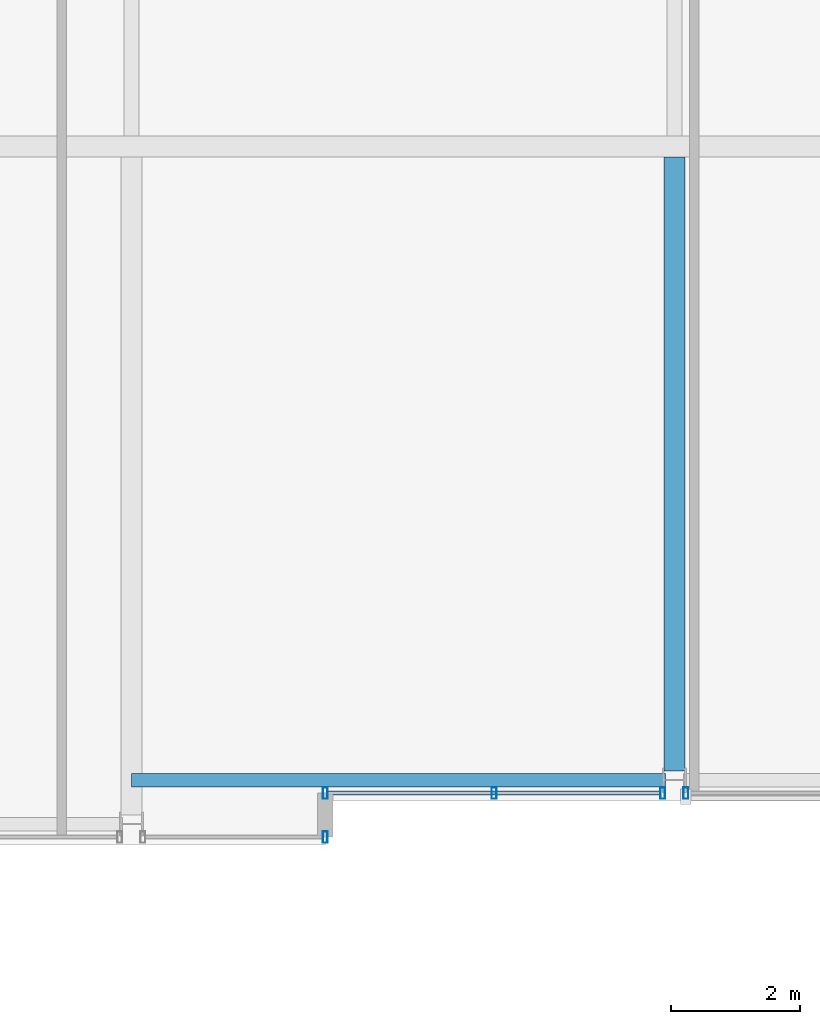
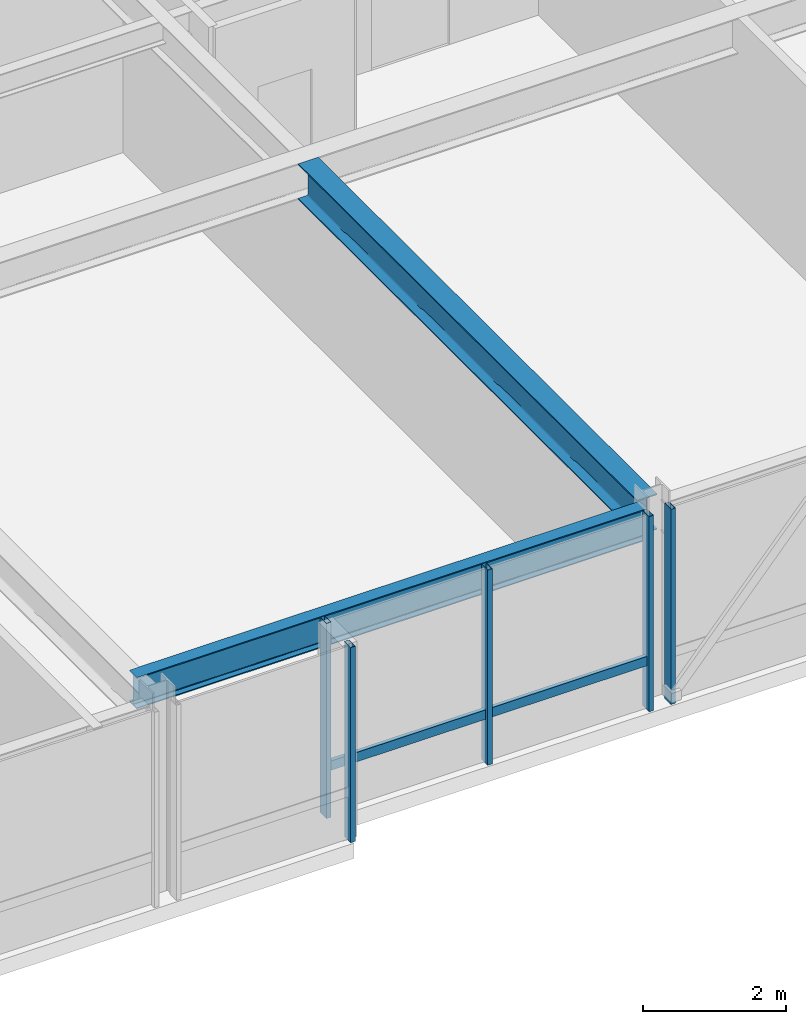
# One storey, part 7 of 32: 6 members, 2 beams, 3 elements without a shape of their own.
"""IFC4 building model written with IfcOpenShell, lengths in metres."""

from ifc_helpers import new_model, si_unit, direction, frame, origin, origin_2d, place, context, subcontext, project, spatial, hollow_rectangle, i_section, extrude, material, layer, layer_set, material_profile, profile_set, type_object, element, aggregate, save


model = new_model("IFC4")

# Units and contexts
model_context = context("Model", 3, precision=1e-05, world=origin(), true_north=direction((0.0, 1.0)))
body_context = subcontext(model_context, "Body", "Model", "MODEL_VIEW")
ifc_project = project(units=[si_unit("LENGTHUNIT", "METRE"), si_unit("AREAUNIT", "SQUARE_METRE"), si_unit("VOLUMEUNIT", "CUBIC_METRE"), si_unit("PLANEANGLEUNIT", "RADIAN"), si_unit("MASSUNIT", "GRAM", prefix="KILO")], contexts=[model_context])

# Site, building, storey
site_placement = place(None, origin())
site = spatial("IfcSite", under=ifc_project, at=site_placement, CompositionType="ELEMENT")
building_placement = place(site_placement, origin())
building = spatial("IfcBuilding", under=site, at=building_placement, Name="Drelvath Grand Hotel", CompositionType="ELEMENT")
storey_placement = place(building_placement, frame((0.0, 0.0, 241.10009765625)))
storey = spatial("IfcBuildingStorey", under=building, at=storey_placement, Name="L63", CompositionType="ELEMENT", Elevation=241.10009765625)

# Curtain wall, members
ifc_material_1 = material(Name="Platinum-Mist Anodised Aluminium Frame", Category="aluminium")
ifc_layer = layer(ifc_material_1, 0.199951171875)
ifc_layer_set = layer_set([ifc_layer], Name="Platinum-Mist Anodised Aluminium Frame")
curtain_wall_type = type_object("IfcCurtainWallType", Name="Stick Curtain Wall CW-05 Platinum Mist High-Rise", PredefinedType="NOTDEFINED", material=ifc_layer_set)
curtain_wall_1_placement = place(storey_placement, origin())
curtain_wall_1 = element("IfcCurtainWall", 1, at=curtain_wall_1_placement, inside=storey, type_object=curtain_wall_type, Name="L63 CW-05 Curtain Wall CW05-L63-SM1", PredefinedType="NOTDEFINED")
ifc_material_profile_1 = material_profile(ifc_material_1, hollow_rectangle(XDim=0.06494140625, YDim=0.159912109375, WallThickness=0.00390625, at=origin_2d()), Name="HSS160X65X4")
ifc_profile_set_1 = profile_set([ifc_material_profile_1], Name="Platinum-Mist Anodised Aluminium Frame")
member_type_1 = type_object("IfcMemberType", Name="Curtain Wall Horizontal Transom CW-05 HSS160X65X4", PredefinedType="USERDEFINED", material=ifc_profile_set_1)
member_1_placement = place(storey_placement, frame((-0.21826171875, 0.800048828125, 0.8349609375), z_axis=(-1.0, 0.0, 0.0), x_axis=(0.0, -1.0, 0.0)))
member_1 = element("IfcMember", 2, at=member_1_placement, type_object=member_type_1, Name="CW05-L63-SM1 Sill Transom", ObjectType="TRANSOM", PredefinedType="USERDEFINED", context=body_context, shape_type="SweptSolid", body=[
    extrude(hollow_rectangle(XDim=0.06494140625, YDim=0.159912109375, WallThickness=0.00390625, at=origin_2d()), origin(), (0.0, 0.0, 1.0), 5.141845703125),
])
ifc_material_profile_2 = material_profile(ifc_material_1, hollow_rectangle(XDim=0.074951171875, YDim=0.179931640625, WallThickness=0.0048828125, at=origin_2d()), Name="HSS180X75X5")
ifc_profile_set_2 = profile_set([ifc_material_profile_2], Name="Platinum-Mist Anodised Aluminium Frame")
member_type_2 = type_object("IfcMemberType", Name="Curtain Wall Vertical Mullion CW-05 HSS180X75X5", PredefinedType="MULLION", material=ifc_profile_set_2)
member_2_placement = place(storey_placement, frame((-0.17822265625, 0.800048828125, 0.0), z_axis=(0.0, 0.0, 1.0), x_axis=(1.0, 0.0, 0.0)))
member_2 = element("IfcMember", 3, at=member_2_placement, type_object=member_type_2, Name="CW05-L63-SM1 Mullion 1", PredefinedType="MULLION", context=body_context, shape_type="SweptSolid", body=[
    extrude(hollow_rectangle(XDim=0.074951171875, YDim=0.179931640625, WallThickness=0.0048828125, at=origin_2d()), origin(), (0.0, 0.0, 1.0), 3.33984375),
])
member_3_placement = place(storey_placement, frame((-2.7890625, 0.800048828125, 0.0), z_axis=(0.0, 0.0, 1.0), x_axis=(1.0, 0.0, 0.0)))
member_3 = element("IfcMember", 4, at=member_3_placement, type_object=member_type_2, Name="CW05-L63-SM1 Mullion 2", PredefinedType="MULLION", context=body_context, shape_type="SweptSolid", body=[
    extrude(hollow_rectangle(XDim=0.074951171875, YDim=0.179931640625, WallThickness=0.0048828125, at=origin_2d()), origin(), (0.0, 0.0, 1.0), 3.33984375),
])
member_4_placement = place(storey_placement, frame((-5.39990234375, 0.800048828125, 0.0), z_axis=(0.0, 0.0, 1.0), x_axis=(1.0, 0.0, 0.0)))
member_4 = element("IfcMember", 5, at=member_4_placement, type_object=member_type_2, Name="CW05-L63-SM1 Mullion 3", PredefinedType="MULLION", context=body_context, shape_type="SweptSolid", body=[
    extrude(hollow_rectangle(XDim=0.074951171875, YDim=0.179931640625, WallThickness=0.0048828125, at=origin_2d()), origin(), (0.0, 0.0, 1.0), 3.33984375),
])
aggregate(curtain_wall_1, [member_2, member_3, member_4, member_1])

# Curtain wall, member
curtain_wall_2_placement = place(storey_placement, origin())
curtain_wall_2 = element("IfcCurtainWall", 6, at=curtain_wall_2_placement, inside=storey, type_object=curtain_wall_type, Name="L63 CW-05 Curtain Wall CW05-L63-SM2", PredefinedType="NOTDEFINED")
member_5_placement = place(storey_placement, frame((0.17822265625, 0.800048828125, 0.0), z_axis=(0.0, 0.0, 1.0), x_axis=(1.0, 0.0, 0.0)))
member_5 = element("IfcMember", 7, at=member_5_placement, type_object=member_type_2, Name="CW05-L63-SM2 Mullion 3", PredefinedType="MULLION", context=body_context, shape_type="SweptSolid", body=[
    extrude(hollow_rectangle(XDim=0.074951171875, YDim=0.179931640625, WallThickness=0.0048828125, at=origin_2d()), origin(), (0.0, 0.0, 1.0), 3.33984375),
])
aggregate(curtain_wall_2, [member_5])

curtain_wall_3_placement = place(storey_placement, origin())
curtain_wall_3 = element("IfcCurtainWall", 8, at=curtain_wall_3_placement, inside=storey, type_object=curtain_wall_type, Name="L63 CW-05 Curtain Wall CW05-L63-SW3", PredefinedType="NOTDEFINED")
member_6_placement = place(storey_placement, frame((-5.39990234375, 0.1201171875, 0.0), z_axis=(0.0, 0.0, 1.0), x_axis=(1.0, 0.0, 0.0)))
member_6 = element("IfcMember", 9, at=member_6_placement, type_object=member_type_2, Name="CW05-L63-SW3 Mullion 1", PredefinedType="MULLION", context=body_context, shape_type="SweptSolid", body=[
    extrude(hollow_rectangle(XDim=0.074951171875, YDim=0.179931640625, WallThickness=0.0048828125, at=origin_2d()), origin(), (0.0, 0.0, 1.0), 3.33984375),
])
aggregate(curtain_wall_3, [member_6])

# Beams
ifc_material_2 = material(Name="Steel ASTM A992 Gr 50", Category="steel")
ifc_material_profile_3 = material_profile(ifc_material_2, i_section(OverallWidth=0.210205078125, OverallDepth=0.53662109375, WebThickness=0.010986328125, FlangeThickness=0.017333984375, FilletRadius=0.01806640625, at=origin_2d()), Name="W21X68")
ifc_profile_set_3 = profile_set([ifc_material_profile_3], Name="Steel ASTM A992 Gr 50")
beam_type_1 = type_object("IfcBeamType", Name="Perimeter Spandrel Beam W21X68", PredefinedType="SPANDREL", material=ifc_profile_set_3)
beam_1_placement = place(storey_placement, frame((-8.39990234375, 1.0, 3.071533203125), z_axis=(1.0, 0.0, 0.0), x_axis=(0.0, 1.0, 0.0)))
element("IfcBeam", 10, at=beam_1_placement, inside=storey, type_object=beam_type_1, Name="L63 Spandrel South Mid W", PredefinedType="SPANDREL", context=body_context, shape_type="SweptSolid", body=[
    extrude(i_section(OverallWidth=0.210205078125, OverallDepth=0.53662109375, WebThickness=0.010986328125, FlangeThickness=0.017333984375, FilletRadius=0.01806640625, at=origin_2d()), origin(), (0.0, 0.0, 1.0), 8.260009765625),
])
ifc_material_profile_4 = material_profile(ifc_material_2, i_section(OverallWidth=0.323974609375, OverallDepth=0.611083984375, WebThickness=0.0126953125, FlangeThickness=0.01904296875, FilletRadius=0.02197265625, at=origin_2d()), Name="W24X104")
ifc_profile_set_4 = profile_set([ifc_material_profile_4], Name="Steel ASTM A992 Gr 50")
beam_type_2 = type_object("IfcBeamType", Name="Primary Floor Girder W24X104", PredefinedType="BEAM", material=ifc_profile_set_4)
beam_2_placement = place(storey_placement, frame((0.0, 1.139892578125, 3.034423828125), z_axis=(0.0, 1.0, 0.0), x_axis=(-1.0, 0.0, 0.0)))
element("IfcBeam", 11, at=beam_2_placement, inside=storey, type_object=beam_type_2, Name="L63 South Wing Girder 5", PredefinedType="BEAM", context=body_context, shape_type="SweptSolid", body=[
    extrude(i_section(OverallWidth=0.323974609375, OverallDepth=0.611083984375, WebThickness=0.0126953125, FlangeThickness=0.01904296875, FilletRadius=0.02197265625, at=origin_2d()), origin(), (0.0, 0.0, 1.0), 9.498046875),
])

save(model, "model.ifc")
